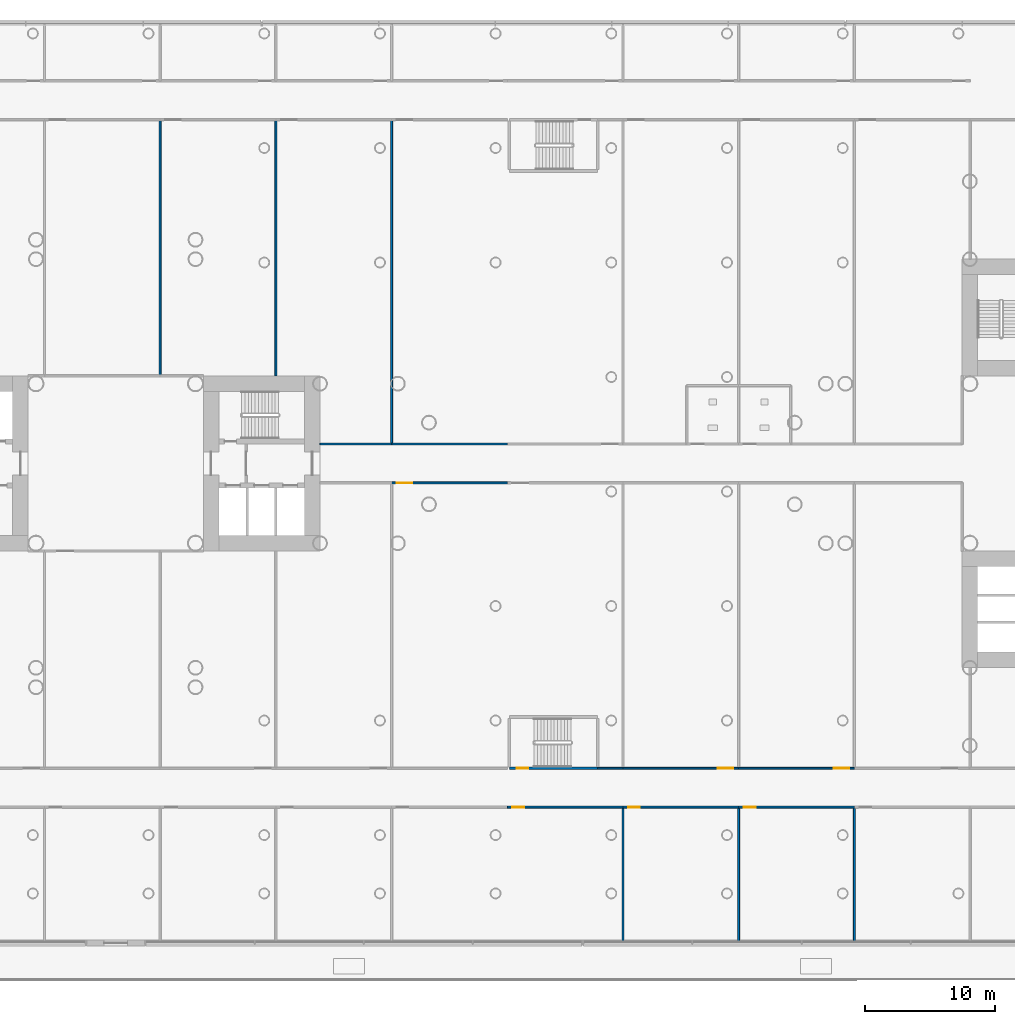
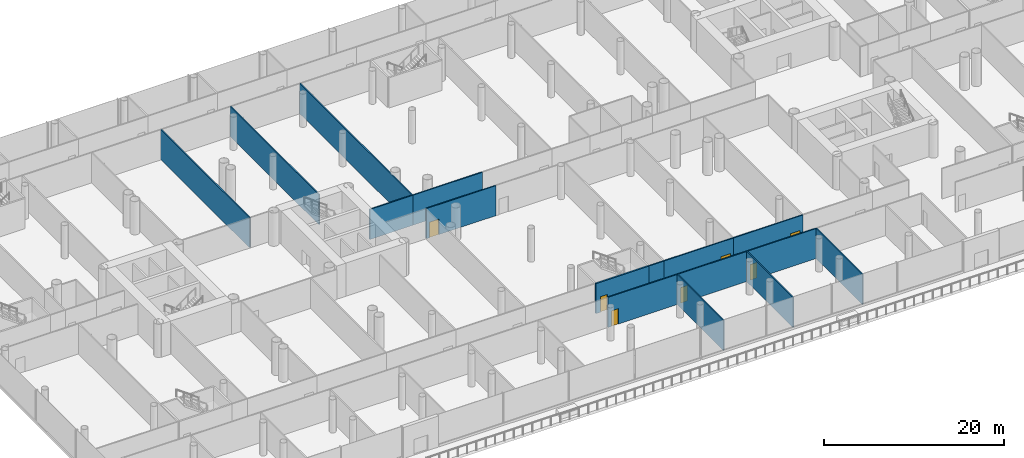
# One storey, part 19 of 49: 16 walls, 7 doors, 7 openings.
"""IFC4 building model written with IfcOpenShell, lengths in metres."""

import ifcopenshell
import ifcopenshell.guid

model = None  # the IFC model being written
_history = None  # IfcOwnerHistory: only IFC2X3 demands one
_inside = {}  # id of a spatial element -> (the spatial element, [elements in it])
_under = {}  # id of a project, library or spatial element -> (it, [spatial elements below it])
_declared = {}  # id of a project -> (the project, [libraries it declares])
_typed = {}  # id of a type object -> (the type object, [elements of that type])
_made_of = {}  # id of a material, layer set ... -> (it, [elements and type objects made of it])


def new_model(schema):
    """Start an empty IFC model of exactly this schema.

    Asked for "IFC4X3", IfcOpenShell would pick the latest addendum, in which some entities
    have other attributes; the version numbers below select the first issue.
    IFC2X3 requires an IfcOwnerHistory on every rooted entity: one is made here for all.
    """
    global model, _history
    if schema == "IFC4X3":
        model = ifcopenshell.file(schema_version=(4, 3, 0, 0))
    else:
        model = ifcopenshell.file(schema=schema)
    _inside.clear()
    _under.clear()
    _declared.clear()
    _typed.clear()
    _made_of.clear()
    _history = None
    if model.schema == "IFC2X3":
        org = make("IfcOrganization", Name="unknown")
        user = make(
            "IfcPersonAndOrganization",
            ThePerson=make("IfcPerson", FamilyName="unknown"),
            TheOrganization=org,
        )
        app = make(
            "IfcApplication",
            ApplicationDeveloper=org,
            Version="unknown",
            ApplicationFullName="unknown",
            ApplicationIdentifier="unknown",
        )
        _history = make(
            "IfcOwnerHistory",
            OwningUser=user,
            OwningApplication=app,
            ChangeAction="ADDED",
            CreationDate=0,
        )
    return model


def make(cls, **values):
    """One entity of the class cls with the attributes given. An attribute that is None is left unset."""
    return model.create_entity(
        cls, **{name: value for name, value in values.items() if value is not None}
    )


def rooted(cls, **values):
    """An entity with a GlobalId (a new one), such as an element, a storey or a relation."""
    return make(cls, GlobalId=ifcopenshell.guid.new(), OwnerHistory=_history, **values)


def si_unit(unit_type, name, prefix=None):
    """IfcSIUnit, for example si_unit("LENGTHUNIT", "METRE", prefix="MILLI")."""
    return make("IfcSIUnit", UnitType=unit_type, Prefix=prefix, Name=name)


def assignment(units):
    """IfcUnitAssignment: the units of a project."""
    return None if units is None else make("IfcUnitAssignment", Units=units)


def point(xyz):
    """IfcCartesianPoint."""
    return None if xyz is None else make("IfcCartesianPoint", Coordinates=xyz)


def direction(xyz):
    """IfcDirection."""
    return None if xyz is None else make("IfcDirection", DirectionRatios=xyz)


def frame(location, z_axis=None, x_axis=None):
    """IfcAxis2Placement3D, a coordinate frame: its origin and axes. An axis left out is left unset."""
    return make(
        "IfcAxis2Placement3D",
        Location=point(location),
        Axis=direction(z_axis),
        RefDirection=direction(x_axis),
    )


def frame_2d(location, x_axis=None):
    """IfcAxis2Placement2D, a coordinate frame in the plane: its origin and x axis."""
    return make(
        "IfcAxis2Placement2D", Location=point(location), RefDirection=direction(x_axis)
    )


def origin():
    """The frame at (0, 0, 0) with its axes left unset."""
    return frame((0.0, 0.0, 0.0))


def place(relative_to, where):
    """IfcLocalPlacement: puts the frame where relative to a parent placement (None: the world)."""
    return make(
        "IfcLocalPlacement", PlacementRelTo=relative_to, RelativePlacement=where
    )


def context(
    kind, dimensions, precision=None, world=None, true_north=None, identifier=None
):
    """IfcGeometricRepresentationContext, for example the 3D "Model" context."""
    return make(
        "IfcGeometricRepresentationContext",
        ContextIdentifier=identifier,
        ContextType=kind,
        CoordinateSpaceDimension=dimensions,
        Precision=precision,
        WorldCoordinateSystem=world,
        TrueNorth=true_north,
    )


def subcontext(parent, identifier, kind, view, scale=None):
    """IfcGeometricRepresentationSubContext, for example "Body" below "Model"."""
    return make(
        "IfcGeometricRepresentationSubContext",
        ContextIdentifier=identifier,
        ContextType=kind,
        ParentContext=parent,
        TargetScale=scale,
        TargetView=view,
    )


def project(units=None, contexts=None):
    """IfcProject with its units and contexts."""
    return rooted(
        "IfcProject",
        Name="project",
        RepresentationContexts=contexts,
        UnitsInContext=assignment(units),
    )


def spatial(cls, under=None, at=None, **own):
    """A site, building, storey or space (cls), placed at a placement, below another one or the project."""
    s = rooted(cls, ObjectPlacement=at, **own)
    if under is not None:
        _under.setdefault(under.id(), (under, []))[1].append(s)
    return s


def profile(cls, at=None, kind="AREA", **sizes):
    """A parametric profile (cls). Its sizes go by their IFC names, for example OverallWidth=200.0."""
    return make(cls, ProfileType=kind, Position=at, **sizes)


def rectangle(**sizes):
    """IfcRectangleProfileDef."""
    return profile("IfcRectangleProfileDef", **sizes)


def extrude(swept, where, along, depth):
    """IfcExtrudedAreaSolid: the profile swept, set in the frame where, extruded along a direction by depth."""
    return make(
        "IfcExtrudedAreaSolid",
        SweptArea=swept,
        Position=where,
        ExtrudedDirection=direction(along),
        Depth=depth,
    )


def shape(context_of_items, identifier, shape_type, items):
    """IfcShapeRepresentation: the items that make up one representation, for example the "Body"."""
    return make(
        "IfcShapeRepresentation",
        ContextOfItems=context_of_items,
        RepresentationIdentifier=identifier,
        RepresentationType=shape_type,
        Items=items,
    )


def material(Name=None, Category=None):
    """IfcMaterial."""
    return make("IfcMaterial", Name=Name, Category=Category)


def layer(
    of_material, thickness, ventilated=None, Name=None, Category=None, Priority=None
):
    """IfcMaterialLayer: one layer of a wall or slab, of a material (None: an air gap)."""
    return make(
        "IfcMaterialLayer",
        Material=of_material,
        LayerThickness=thickness,
        IsVentilated=ventilated,
        Name=Name,
        Category=Category,
        Priority=Priority,
    )


def layer_set(layers, Name=None):
    """IfcMaterialLayerSet."""
    return make("IfcMaterialLayerSet", MaterialLayers=layers, LayerSetName=Name)


def made_of(thing, what):
    """Note that an element or type object is made of a material, layer set ...; save() writes the relation."""
    if what is not None:
        _made_of.setdefault(what.id(), (what, []))[1].append(thing)
    return thing


def type_object(cls, material=None, **own):
    """A type object (cls), such as IfcWallType, which elements share."""
    return made_of(rooted(cls, **own), material)


def element(
    cls,
    number,
    at=None,
    inside=None,
    cuts=None,
    type_object=None,
    material=None,
    context=None,
    identifier="Body",
    shape_type=None,
    held_by="IfcProductDefinitionShape",
    body=None,
    shapes=None,
    **own,
):
    """One element of the class cls, such as IfcWall. Its Tag is "e" and its number.

    at: its placement. inside: the storey or other place that contains it. cuts: it is an
    opening in that element (IfcRelVoidsElement). A single representation is given by context,
    identifier, shape_type and body (its items); several are given by shapes. held_by: the class
    of the entity that holds the representations. save() writes the other relations.
    """
    e = rooted(cls, Tag="e%d" % number, ObjectPlacement=at, **own)
    if body is not None:
        shapes = [shape(context, identifier, shape_type, body)]
    if shapes is not None:
        e.Representation = make(held_by, Representations=shapes)
    if inside is not None:
        _inside.setdefault(inside.id(), (inside, []))[1].append(e)
    if cuts is not None:
        rooted(
            "IfcRelVoidsElement", RelatingBuildingElement=cuts, RelatedOpeningElement=e
        )
    if type_object is not None:
        _typed.setdefault(type_object.id(), (type_object, []))[1].append(e)
    return made_of(e, material)


def fill(opening, filler):
    """IfcRelFillsElement: the door or window that sits in an opening."""
    return rooted(
        "IfcRelFillsElement",
        RelatingOpeningElement=opening,
        RelatedBuildingElement=filler,
    )


def aggregate(whole, parts):
    """IfcRelAggregates: a whole, such as a stair, and the parts it consists of."""
    return rooted("IfcRelAggregates", RelatingObject=whole, RelatedObjects=parts)


def save(model, path):
    """Write the relations noted so far, then the file.

    IfcRelAggregates (storeys below a building ...), IfcRelContainedInSpatialStructure (elements
    in a storey), IfcRelDefinesByType, IfcRelAssociatesMaterial and IfcRelDeclares: one each for
    every whole, place, type object, material and project.
    """
    for whole, parts in _under.values():
        aggregate(whole, parts)
    for where, things in _inside.values():
        rooted(
            "IfcRelContainedInSpatialStructure",
            RelatedElements=things,
            RelatingStructure=where,
        )
    for kind, things in _typed.values():
        rooted("IfcRelDefinesByType", RelatedObjects=things, RelatingType=kind)
    for what, things in _made_of.values():
        rooted("IfcRelAssociatesMaterial", RelatedObjects=things, RelatingMaterial=what)
    for by, libraries in _declared.values():
        rooted("IfcRelDeclares", RelatingContext=by, RelatedDefinitions=libraries)
    model.write(path)


model = new_model("IFC4")

# Units and contexts
model_context = context("Model", 3, precision=1e-05, world=origin(), true_north=direction((0.0, 1.0)))
body_context = subcontext(model_context, "Body", "Model", "MODEL_VIEW")
ifc_project = project(units=[si_unit("LENGTHUNIT", "METRE"), si_unit("AREAUNIT", "SQUARE_METRE"), si_unit("VOLUMEUNIT", "CUBIC_METRE"), si_unit("PLANEANGLEUNIT", "RADIAN"), si_unit("MASSUNIT", "GRAM", prefix="KILO")], contexts=[model_context])

# Site, building, storey
site_placement = place(None, origin())
site = spatial("IfcSite", under=ifc_project, at=site_placement, CompositionType="ELEMENT")
building_placement = place(site_placement, origin())
building = spatial("IfcBuilding", under=site, at=building_placement, Name="Ipe Terrace Towers", CompositionType="ELEMENT")
storey_placement = place(building_placement, frame((0.0, 0.0, 11.0)))
storey = spatial("IfcBuildingStorey", under=building, at=storey_placement, Name="L02", CompositionType="ELEMENT", Elevation=11.0)

# Walls
ifc_material_1 = material(Name="Gypsum board partition", Category="plasterboard")
ifc_layer_1 = layer(ifc_material_1, 0.14990234375)
ifc_layer_set_1 = layer_set([ifc_layer_1], Name="Gypsum board partition 150 mm")
wall_type_1 = type_object("IfcWallType", Name="Gypsum board partition 150 mm", PredefinedType="PARTITIONING", material=ifc_layer_set_1)
for number, where, z_axis, x_axis, name in (
    (1, (-32.570068359375, 26.5, 0.0), (0.0, 0.0, 1.0), (0.0, -1.0, 0.0), "Gypsum board partition T1 L02 pd-r14-r18-w38"),
    (2, (-23.64990234375, 26.5, 0.0), (0.0, 0.0, 1.0), (0.0, -1.0, 0.0), "Gypsum board partition T1 L02 pd-r18-r23-w48"),
):
    element("IfcWall", number, at=place(storey_placement, frame(where, z_axis=z_axis, x_axis=x_axis)), inside=storey, type_object=wall_type_1, Name=name, PredefinedType="PARTITIONING", context=body_context, shape_type="SweptSolid", body=[
        extrude(rectangle(XDim=19.75, YDim=0.14990234375, at=frame_2d((9.875, 0.0))), origin(), (0.0, 0.0, 1.0), 4.080078125),
    ])
wall_1_placement = place(storey_placement, frame((-14.72998046875, 1.5, 0.0), z_axis=(0.0, 0.0, 1.0), x_axis=(-1.0, 0.0, 0.0)))
element("IfcWall", 3, at=wall_1_placement, inside=storey, type_object=wall_type_1, Name="Gypsum board partition T1 L02 pd-r23-w59", PredefinedType="PARTITIONING", context=body_context, shape_type="SweptSolid", body=[
    extrude(rectangle(XDim=5.52001953125, YDim=0.14990234375, at=frame_2d((2.760009765625, 0.0))), origin(), (0.0, 0.0, 1.0), 4.080078125),
])
wall_2_placement = place(storey_placement, frame((-14.72998046875, 26.5, 0.0), z_axis=(0.0, 0.0, 1.0), x_axis=(0.0, -1.0, 0.0)))
element("IfcWall", 4, at=wall_2_placement, inside=storey, type_object=wall_type_1, Name="Gypsum board partition T1 L02 pd-r23-r26-w60", PredefinedType="PARTITIONING", context=body_context, shape_type="SweptSolid", body=[
    extrude(rectangle(XDim=25.0, YDim=0.14990234375, at=frame_2d((12.5, 0.0))), origin(), (0.0, 0.0, 1.0), 4.080078125),
])

# Wall, opening, door
wall_3_placement = place(storey_placement, frame((-14.72998046875, -1.5, 0.0), z_axis=(0.0, 0.0, 1.0), x_axis=(1.0, 0.0, 0.0)))
wall_3 = element("IfcWall", 5, at=wall_3_placement, inside=storey, type_object=wall_type_1, Name="Gypsum board partition T1 L02 pd-r25-w62", PredefinedType="PARTITIONING", context=body_context, shape_type="SweptSolid", body=[
    extrude(rectangle(XDim=8.919921875, YDim=0.14990234375, at=frame_2d((4.4599609375, 0.0))), origin(), (0.0, 0.0, 1.0), 4.080078125),
])
opening_1_placement = place(wall_3_placement, frame((0.39990234375, 0.0, 0.0)))
opening_1 = element("IfcOpeningElement", 6, at=opening_1_placement, cuts=wall_3, Name="Opening PD-L02-r25", PredefinedType="OPENING", context=body_context, shape_type="SweptSolid", body=[
    extrude(rectangle(XDim=1.199951171875, YDim=2.10009765625, at=frame_2d((0.60009765625, 1.050048828125))), frame((0.0, 0.0849609375, 0.0), z_axis=(0.0, -1.0, 0.0), x_axis=(1.0, 0.0, 0.0)), (0.0, 0.0, 1.0), 0.169921875),
])
ifc_material_2 = material(Name="Fire-rated timber door leaf", Category="wood")
door_type_1 = type_object("IfcDoorType", Name="Lounge door 1200 x 2100 FD30S", OperationType="NOTDEFINED", PredefinedType="DOOR", material=ifc_material_2)
door_1_placement = place(opening_1_placement, origin())
door_1 = element("IfcDoor", 7, at=door_1_placement, inside=storey, type_object=door_type_1, Name="Lounge door PD-L02-r25", OperationType="SINGLE_SWING_RIGHT", OverallHeight=2.10009765625, OverallWidth=1.199951171875, PredefinedType="DOOR", context=body_context, shape_type="SweptSolid", body=[
    extrude(rectangle(XDim=1.199951171875, YDim=2.10009765625, at=frame_2d((0.60009765625, 1.050048828125))), frame((0.0, 0.02490234375, 0.0), z_axis=(0.0, -1.0, 0.0), x_axis=(1.0, 0.0, 0.0)), (0.0, 0.0, 1.0), 0.050048828125),
])
fill(opening_1, door_1)

# Wall
wall_4_placement = place(storey_placement, frame((-5.81005859375, 1.5, 0.0), z_axis=(0.0, 0.0, 1.0), x_axis=(-1.0, 0.0, 0.0)))
element("IfcWall", 8, at=wall_4_placement, inside=storey, type_object=wall_type_1, Name="Gypsum board partition T1 L02 pd-r26-w65", PredefinedType="PARTITIONING", context=body_context, shape_type="SweptSolid", body=[
    extrude(rectangle(XDim=8.919921875, YDim=0.14990234375, at=frame_2d((4.4599609375, 0.0))), origin(), (0.0, 0.0, 1.0), 4.080078125),
])

# Wall, opening, door
wall_5_placement = place(storey_placement, frame((-5.81005859375, -26.5, 0.0), z_axis=(0.0, 0.0, 1.0), x_axis=(1.0, 0.0, 0.0)))
wall_5 = element("IfcWall", 9, at=wall_5_placement, inside=storey, type_object=wall_type_1, Name="Gypsum board partition T2 L02 pd-r28-w0", PredefinedType="PARTITIONING", context=body_context, shape_type="SweptSolid", body=[
    extrude(rectangle(XDim=8.920166015625, YDim=0.14990234375, at=frame_2d((4.4599609375, 0.0))), origin(), (0.0, 0.0, 1.0), 4.080078125),
])
opening_2_placement = place(wall_5_placement, frame((0.39990234375, 0.0, 0.0)))
opening_2 = element("IfcOpeningElement", 10, at=opening_2_placement, cuts=wall_5, Name="Opening PD-L02-r28", PredefinedType="OPENING", context=body_context, shape_type="SweptSolid", body=[
    extrude(rectangle(XDim=0.89990234375, YDim=2.10009765625, at=frame_2d((0.449951171875, 1.050048828125))), frame((0.0, 0.0849609375, 0.0), z_axis=(0.0, -1.0, 0.0), x_axis=(1.0, 0.0, 0.0)), (0.0, 0.0, 1.0), 0.169921875),
])
ifc_material_3 = material(Name="Fire-rated timber door leaf", Category="wood")
door_type_2 = type_object("IfcDoorType", Name="Lounge door 900 x 2100 FD30S", OperationType="NOTDEFINED", PredefinedType="DOOR", material=ifc_material_3)
door_2_placement = place(opening_2_placement, origin())
door_2 = element("IfcDoor", 11, at=door_2_placement, inside=storey, type_object=door_type_2, Name="Lounge door PD-L02-r28", OperationType="SINGLE_SWING_RIGHT", OverallHeight=2.10009765625, OverallWidth=0.89990234375, PredefinedType="DOOR", context=body_context, shape_type="SweptSolid", body=[
    extrude(rectangle(XDim=0.89990234375, YDim=2.10009765625, at=frame_2d((0.449951171875, 1.050048828125))), frame((0.0, 0.02490234375, 0.0), z_axis=(0.0, -1.0, 0.0), x_axis=(1.0, 0.0, 0.0)), (0.0, 0.0, 1.0), 0.050048828125),
])
fill(opening_2, door_2)

# Walls
wall_6_placement = place(storey_placement, frame((3.110107421875, -26.5, 0.0), z_axis=(0.0, 0.0, 1.0), x_axis=(0.0, -1.0, 0.0)))
element("IfcWall", 12, at=wall_6_placement, inside=storey, type_object=wall_type_1, Name="Gypsum board partition T2 L02 pd-r28-r33-w1", PredefinedType="PARTITIONING", context=body_context, shape_type="SweptSolid", body=[
    extrude(rectangle(XDim=10.35009765625, YDim=0.14990234375, at=frame_2d((5.175048828125, 0.0))), origin(), (0.0, 0.0, 1.0), 4.080078125),
])
wall_7_placement = place(storey_placement, frame((3.110107421875, -23.5, 0.0), z_axis=(0.0, 0.0, 1.0), x_axis=(-1.0, 0.0, 0.0)))
element("IfcWall", 13, at=wall_7_placement, inside=storey, type_object=wall_type_1, Name="Gypsum board partition T2 L02 pd-r30-w5", PredefinedType="PARTITIONING", context=body_context, shape_type="SweptSolid", body=[
    extrude(rectangle(XDim=1.960205078125, YDim=0.14990234375, at=frame_2d((0.97998046875, 0.0))), origin(), (0.0, 0.0, 1.0), 4.080078125),
])

# Wall, opening, door
wall_8_placement = place(storey_placement, frame((3.110107421875, -26.5, 0.0), z_axis=(0.0, 0.0, 1.0), x_axis=(1.0, 0.0, 0.0)))
wall_8 = element("IfcWall", 14, at=wall_8_placement, inside=storey, type_object=wall_type_1, Name="Gypsum board partition T2 L02 pd-r33-w13", PredefinedType="PARTITIONING", context=body_context, shape_type="SweptSolid", body=[
    extrude(rectangle(XDim=8.919921875, YDim=0.14990234375, at=frame_2d((4.4599609375, 0.0))), origin(), (0.0, 0.0, 1.0), 4.080078125),
])
opening_3_placement = place(wall_8_placement, frame((0.39990234375, 0.0, 0.0)))
opening_3 = element("IfcOpeningElement", 15, at=opening_3_placement, cuts=wall_8, Name="Opening PD-L02-r33", PredefinedType="OPENING", context=body_context, shape_type="SweptSolid", body=[
    extrude(rectangle(XDim=0.89990234375, YDim=2.10009765625, at=frame_2d((0.449951171875, 1.050048828125))), frame((0.0, 0.0849609375, 0.0), z_axis=(0.0, -1.0, 0.0), x_axis=(1.0, 0.0, 0.0)), (0.0, 0.0, 1.0), 0.169921875),
])
door_3_placement = place(opening_3_placement, origin())
door_3 = element("IfcDoor", 16, at=door_3_placement, inside=storey, type_object=door_type_2, Name="Lounge door PD-L02-r33", OperationType="SINGLE_SWING_RIGHT", OverallHeight=2.10009765625, OverallWidth=0.89990234375, PredefinedType="DOOR", context=body_context, shape_type="SweptSolid", body=[
    extrude(rectangle(XDim=0.89990234375, YDim=2.10009765625, at=frame_2d((0.449951171875, 1.050048828125))), frame((0.0, 0.02490234375, 0.0), z_axis=(0.0, -1.0, 0.0), x_axis=(1.0, 0.0, 0.0)), (0.0, 0.0, 1.0), 0.050048828125),
])
fill(opening_3, door_3)

# Wall
wall_9_placement = place(storey_placement, frame((12.030029296875, -26.5, 0.0), z_axis=(0.0, 0.0, 1.0), x_axis=(0.0, -1.0, 0.0)))
element("IfcWall", 17, at=wall_9_placement, inside=storey, type_object=wall_type_1, Name="Gypsum board partition T2 L02 pd-r33-r36-w14", PredefinedType="PARTITIONING", context=body_context, shape_type="SweptSolid", body=[
    extrude(rectangle(XDim=10.35009765625, YDim=0.14990234375, at=frame_2d((5.175048828125, 0.0))), origin(), (0.0, 0.0, 1.0), 4.080078125),
])

# Wall, opening, door
wall_10_placement = place(storey_placement, frame((12.030029296875, -23.5, 0.0), z_axis=(0.0, 0.0, 1.0), x_axis=(-1.0, 0.0, 0.0)))
wall_10 = element("IfcWall", 18, at=wall_10_placement, inside=storey, type_object=wall_type_1, Name="Gypsum board partition T2 L02 pd-r34-w15", PredefinedType="PARTITIONING", context=body_context, shape_type="SweptSolid", body=[
    extrude(rectangle(XDim=8.919921875, YDim=0.14990234375, at=frame_2d((4.4599609375, 0.0))), origin(), (0.0, 0.0, 1.0), 4.080078125),
])
opening_4_placement = place(wall_10_placement, frame((0.39990234375, 0.0, 0.0)))
opening_4 = element("IfcOpeningElement", 19, at=opening_4_placement, cuts=wall_10, Name="Opening PD-L02-r34", PredefinedType="OPENING", context=body_context, shape_type="SweptSolid", body=[
    extrude(rectangle(XDim=1.199951171875, YDim=2.10009765625, at=frame_2d((0.60009765625, 1.050048828125))), frame((0.0, 0.0849609375, 0.0), z_axis=(0.0, -1.0, 0.0), x_axis=(1.0, 0.0, 0.0)), (0.0, 0.0, 1.0), 0.169921875),
])
door_4_placement = place(opening_4_placement, origin())
door_4 = element("IfcDoor", 20, at=door_4_placement, inside=storey, type_object=door_type_1, Name="Lounge door PD-L02-r34", OperationType="SINGLE_SWING_RIGHT", OverallHeight=2.10009765625, OverallWidth=1.199951171875, PredefinedType="DOOR", context=body_context, shape_type="SweptSolid", body=[
    extrude(rectangle(XDim=1.199951171875, YDim=2.10009765625, at=frame_2d((0.60009765625, 1.050048828125))), frame((0.0, 0.02490234375, 0.0), z_axis=(0.0, -1.0, 0.0), x_axis=(1.0, 0.0, 0.0)), (0.0, 0.0, 1.0), 0.050048828125),
])
fill(opening_4, door_4)

wall_11_placement = place(storey_placement, frame((12.030029296875, -26.5, 0.0), z_axis=(0.0, 0.0, 1.0), x_axis=(1.0, 0.0, 0.0)))
wall_11 = element("IfcWall", 21, at=wall_11_placement, inside=storey, type_object=wall_type_1, Name="Gypsum board partition T2 L02 pd-r36-w20", PredefinedType="PARTITIONING", context=body_context, shape_type="SweptSolid", body=[
    extrude(rectangle(XDim=8.919921875, YDim=0.14990234375, at=frame_2d((4.4599609375, 0.0))), origin(), (0.0, 0.0, 1.0), 4.080078125),
])
opening_5_placement = place(wall_11_placement, frame((0.39990234375, 0.0, 0.0)))
opening_5 = element("IfcOpeningElement", 22, at=opening_5_placement, cuts=wall_11, Name="Opening PD-L02-r36", PredefinedType="OPENING", context=body_context, shape_type="SweptSolid", body=[
    extrude(rectangle(XDim=0.89990234375, YDim=2.10009765625, at=frame_2d((0.449951171875, 1.050048828125))), frame((0.0, 0.0849609375, 0.0), z_axis=(0.0, -1.0, 0.0), x_axis=(1.0, 0.0, 0.0)), (0.0, 0.0, 1.0), 0.169921875),
])
door_5_placement = place(opening_5_placement, origin())
door_5 = element("IfcDoor", 23, at=door_5_placement, inside=storey, type_object=door_type_2, Name="Lounge door PD-L02-r36", OperationType="SINGLE_SWING_RIGHT", OverallHeight=2.10009765625, OverallWidth=0.89990234375, PredefinedType="DOOR", context=body_context, shape_type="SweptSolid", body=[
    extrude(rectangle(XDim=0.89990234375, YDim=2.10009765625, at=frame_2d((0.449951171875, 1.050048828125))), frame((0.0, 0.02490234375, 0.0), z_axis=(0.0, -1.0, 0.0), x_axis=(1.0, 0.0, 0.0)), (0.0, 0.0, 1.0), 0.050048828125),
])
fill(opening_5, door_5)

# Wall
wall_12_placement = place(storey_placement, frame((20.949951171875, -26.5, 0.0), z_axis=(0.0, 0.0, 1.0), x_axis=(0.0, -1.0, 0.0)))
element("IfcWall", 24, at=wall_12_placement, inside=storey, type_object=wall_type_1, Name="Gypsum board partition T2 L02 pd-r36-r42-w21", PredefinedType="PARTITIONING", context=body_context, shape_type="SweptSolid", body=[
    extrude(rectangle(XDim=10.35009765625, YDim=0.14990234375, at=frame_2d((5.175048828125, 0.0))), origin(), (0.0, 0.0, 1.0), 4.080078125),
])

# Wall, opening, door
wall_13_placement = place(storey_placement, frame((20.949951171875, -23.5, 0.0), z_axis=(0.0, 0.0, 1.0), x_axis=(-1.0, 0.0, 0.0)))
wall_13 = element("IfcWall", 25, at=wall_13_placement, inside=storey, type_object=wall_type_1, Name="Gypsum board partition T2 L02 pd-r37-w22", PredefinedType="PARTITIONING", context=body_context, shape_type="SweptSolid", body=[
    extrude(rectangle(XDim=8.919921875, YDim=0.14990234375, at=frame_2d((4.4599609375, 0.0))), origin(), (0.0, 0.0, 1.0), 4.080078125),
])
opening_6_placement = place(wall_13_placement, frame((0.39990234375, 0.0, 0.0)))
opening_6 = element("IfcOpeningElement", 26, at=opening_6_placement, cuts=wall_13, Name="Opening PD-L02-r37", PredefinedType="OPENING", context=body_context, shape_type="SweptSolid", body=[
    extrude(rectangle(XDim=1.199951171875, YDim=2.10009765625, at=frame_2d((0.60009765625, 1.050048828125))), frame((0.0, 0.0849609375, 0.0), z_axis=(0.0, -1.0, 0.0), x_axis=(1.0, 0.0, 0.0)), (0.0, 0.0, 1.0), 0.169921875),
])
door_6_placement = place(opening_6_placement, origin())
door_6 = element("IfcDoor", 27, at=door_6_placement, inside=storey, type_object=door_type_1, Name="Lounge door PD-L02-r37", OperationType="SINGLE_SWING_RIGHT", OverallHeight=2.10009765625, OverallWidth=1.199951171875, PredefinedType="DOOR", context=body_context, shape_type="SweptSolid", body=[
    extrude(rectangle(XDim=1.199951171875, YDim=2.10009765625, at=frame_2d((0.60009765625, 1.050048828125))), frame((0.0, 0.02490234375, 0.0), z_axis=(0.0, -1.0, 0.0), x_axis=(1.0, 0.0, 0.0)), (0.0, 0.0, 1.0), 0.050048828125),
])
fill(opening_6, door_6)

ifc_material_4 = material(Name="Concrete C40/50", Category="concrete")
ifc_layer_2 = layer(ifc_material_4, 0.199951171875)
ifc_layer_set_2 = layer_set([ifc_layer_2], Name="RW200 PODIUM STAIR SHAFT WALL 200 C40-50")
wall_type_2 = type_object("IfcWallType", Name="RW200 PODIUM STAIR SHAFT WALL 200 C40-50", PredefinedType="SHEAR", material=ifc_layer_set_2)
wall_14_placement = place(storey_placement, frame((-5.64990234375, -23.5, 0.0), z_axis=(0.0, 0.0, 1.0), x_axis=(1.0, 0.0, 0.0)))
wall_14 = element("IfcWall", 28, at=wall_14_placement, inside=storey, type_object=wall_type_2, Name="Stair shaft wall T1 L02 ps5-c", PredefinedType="SHEAR", context=body_context, shape_type="SweptSolid", body=[
    extrude(rectangle(XDim=6.7998046875, YDim=0.199951171875, at=frame_2d((3.39990234375, 0.0))), origin(), (0.0, 0.0, 1.0), 4.080078125),
])
opening_7_placement = place(wall_14_placement, frame((0.550048828125, 0.0, 0.0)))
opening_7 = element("IfcOpeningElement", 29, at=opening_7_placement, cuts=wall_14, Name="Opening PS5-SD", PredefinedType="OPENING", context=body_context, shape_type="SweptSolid", body=[
    extrude(rectangle(XDim=0.89990234375, YDim=2.10009765625, at=frame_2d((0.449951171875, 1.050048828125))), frame((0.0, 0.10986328125, 0.0), z_axis=(0.0, -1.0, 0.0), x_axis=(1.0, 0.0, 0.0)), (0.0, 0.0, 1.0), 0.219970703125),
])
ifc_material_5 = material(Name="Fire-rated timber door leaf", Category="wood")
door_type_3 = type_object("IfcDoorType", Name="Stair door 900 x 2100 FD60", OperationType="NOTDEFINED", PredefinedType="DOOR", material=ifc_material_5)
door_7_placement = place(opening_7_placement, origin())
door_7 = element("IfcDoor", 30, at=door_7_placement, inside=storey, type_object=door_type_3, Name="Stair door PS5-SD", OperationType="SINGLE_SWING_RIGHT", OverallHeight=2.10009765625, OverallWidth=0.89990234375, PredefinedType="DOOR", context=body_context, shape_type="SweptSolid", body=[
    extrude(rectangle(XDim=0.89990234375, YDim=2.10009765625, at=frame_2d((0.449951171875, 1.050048828125))), frame((0.0, 0.02490234375, 0.0), z_axis=(0.0, -1.0, 0.0), x_axis=(1.0, 0.0, 0.0)), (0.0, 0.0, 1.0), 0.050048828125),
])
fill(opening_7, door_7)

save(model, "model.ifc")
